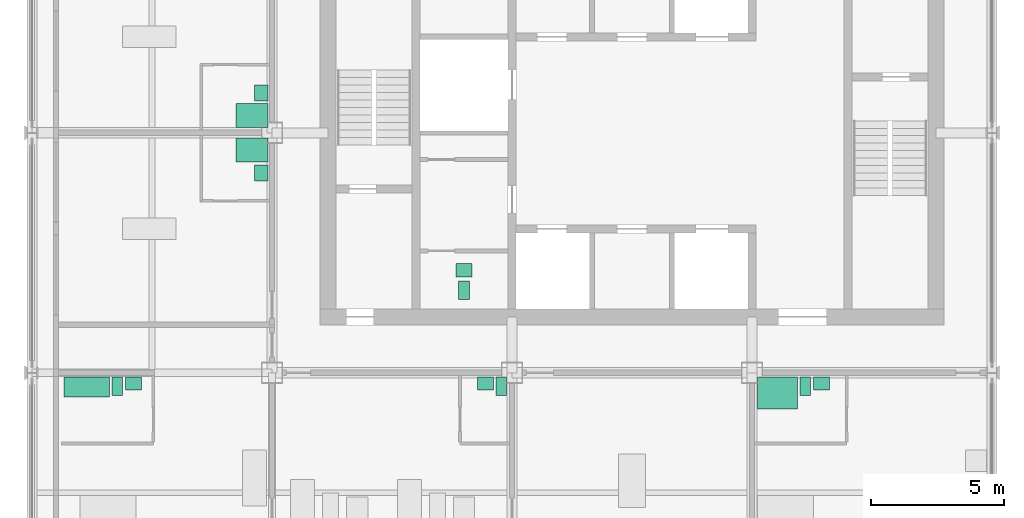
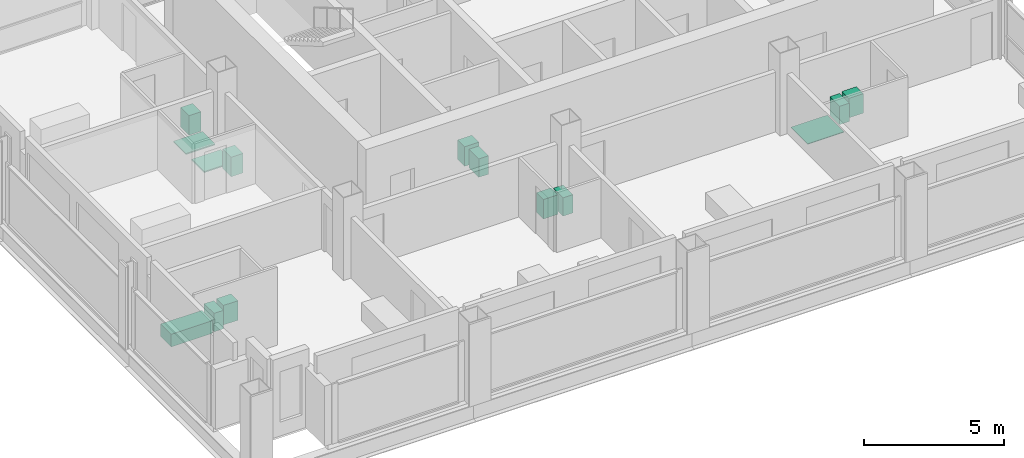
# One storey, part 10 of 11: 14 sanitary terminals.
"""IFC4 building model written with IfcOpenShell, lengths in metres."""

from ifc_helpers import new_model, si_unit, direction, frame, origin, origin_2d, place, context, subcontext, project, spatial, rectangle, extrude, element, save


model = new_model("IFC4")

# Units and contexts
model_context = context("Model", 3, precision=1e-05, world=origin(), true_north=direction((0.0, 1.0)))
body_context = subcontext(model_context, "Body", "Model", "MODEL_VIEW")
ifc_project = project(units=[si_unit("LENGTHUNIT", "METRE"), si_unit("AREAUNIT", "SQUARE_METRE"), si_unit("VOLUMEUNIT", "CUBIC_METRE"), si_unit("PLANEANGLEUNIT", "RADIAN"), si_unit("MASSUNIT", "GRAM", prefix="KILO")], contexts=[model_context])

# Site, building, storey
site_placement = place(None, origin())
site = spatial("IfcSite", under=ifc_project, at=site_placement, CompositionType="ELEMENT")
building_placement = place(site_placement, origin())
building = spatial("IfcBuilding", under=site, at=building_placement, Name="Loomwork Tower", CompositionType="ELEMENT")
storey_placement = place(building_placement, frame((0.0, 0.0, 262.60009765625)))
storey = spatial("IfcBuildingStorey", under=building, at=storey_placement, Name="L72", CompositionType="ELEMENT", Elevation=262.60009765625)

# Sanitary terminals
sanitary_terminal_1_placement = place(storey_placement, frame((2.050048828125, 8.47509765625, 0.0), z_axis=(0.0, 0.0, 1.0), x_axis=(1.0, 0.0, 0.0)))
element("IfcSanitaryTerminal", 1, at=sanitary_terminal_1_placement, inside=storey, Name="Bath L72", PredefinedType="BATH", context=body_context, shape_type="SweptSolid", body=[
    extrude(rectangle(XDim=1.699951171875, YDim=0.75, at=origin_2d()), origin(), (0.0, 0.0, 1.0), 0.550048828125),
])
sanitary_terminal_2_placement = place(storey_placement, frame((3.199951171875, 8.5, 0.0), z_axis=(0.0, 0.0, 1.0), x_axis=(1.0, 0.0, 0.0)))
element("IfcSanitaryTerminal", 2, at=sanitary_terminal_2_placement, inside=storey, Name="WC L72", PredefinedType="TOILETPAN", context=body_context, shape_type="SweptSolid", body=[
    extrude(rectangle(XDim=0.39990234375, YDim=0.699951171875, at=origin_2d()), origin(), (0.0, 0.0, 1.0), 0.800048828125),
])
sanitary_terminal_3_placement = place(storey_placement, frame((3.800048828125, 8.60009765625, -0.000244140625), z_axis=(0.0, 0.0, 1.0), x_axis=(1.0, 0.0, 0.0)))
element("IfcSanitaryTerminal", 3, at=sanitary_terminal_3_placement, inside=storey, Name="Basin vanity L72", PredefinedType="WASHHANDBASIN", context=body_context, shape_type="SweptSolid", body=[
    extrude(rectangle(XDim=0.60009765625, YDim=0.5, at=origin_2d()), origin(), (0.0, 0.0, 1.0), 0.85009765625),
])
sanitary_terminal_4_placement = place(storey_placement, frame((17.60009765625, 8.5, 0.0), z_axis=(0.0, 0.0, 1.0), x_axis=(1.0, 0.0, 0.0)))
element("IfcSanitaryTerminal", 4, at=sanitary_terminal_4_placement, inside=storey, Name="WC L72", PredefinedType="TOILETPAN", context=body_context, shape_type="SweptSolid", body=[
    extrude(rectangle(XDim=0.39990234375, YDim=0.699951171875, at=origin_2d()), origin(), (0.0, 0.0, 1.0), 0.800048828125),
])
sanitary_terminal_5_placement = place(storey_placement, frame((17.0, 8.60009765625, -0.000244140625), z_axis=(0.0, 0.0, 1.0), x_axis=(1.0, 0.0, 0.0)))
element("IfcSanitaryTerminal", 5, at=sanitary_terminal_5_placement, inside=storey, Name="Basin vanity L72", PredefinedType="WASHHANDBASIN", context=body_context, shape_type="SweptSolid", body=[
    extrude(rectangle(XDim=0.60009765625, YDim=0.5, at=origin_2d()), origin(), (0.0, 0.0, 1.0), 0.85009765625),
])
sanitary_terminal_6_placement = place(storey_placement, frame((27.949951171875, 8.25, 0.0), z_axis=(0.0, 0.0, 1.0), x_axis=(1.0, 0.0, 0.0)))
element("IfcSanitaryTerminal", 6, at=sanitary_terminal_6_placement, inside=storey, Name="Roll-in shower floor L72", PredefinedType="SHOWER", context=body_context, shape_type="SweptSolid", body=[
    extrude(rectangle(XDim=1.5, YDim=1.199951171875, at=origin_2d()), origin(), (0.0, 0.0, 1.0), 0.030029296875),
])
sanitary_terminal_7_placement = place(storey_placement, frame((29.0, 8.5, 0.0), z_axis=(0.0, 0.0, 1.0), x_axis=(1.0, 0.0, 0.0)))
element("IfcSanitaryTerminal", 7, at=sanitary_terminal_7_placement, inside=storey, Name="WC L72", PredefinedType="TOILETPAN", context=body_context, shape_type="SweptSolid", body=[
    extrude(rectangle(XDim=0.39990234375, YDim=0.699951171875, at=origin_2d()), origin(), (0.0, 0.0, 1.0), 0.800048828125),
])
sanitary_terminal_8_placement = place(storey_placement, frame((29.60009765625, 8.60009765625, -0.000244140625), z_axis=(0.0, 0.0, 1.0), x_axis=(1.0, 0.0, 0.0)))
element("IfcSanitaryTerminal", 8, at=sanitary_terminal_8_placement, inside=storey, Name="Basin vanity L72", PredefinedType="WASHHANDBASIN", context=body_context, shape_type="SweptSolid", body=[
    extrude(rectangle(XDim=0.60009765625, YDim=0.5, at=origin_2d()), origin(), (0.0, 0.0, 1.0), 0.85009765625),
])
sanitary_terminal_9_placement = place(storey_placement, frame((8.25, 17.35009765625, 0.0), z_axis=(0.0, 0.0, 1.0), x_axis=(1.0, 0.0, 0.0)))
element("IfcSanitaryTerminal", 9, at=sanitary_terminal_9_placement, inside=storey, Name="Shower tray L72", PredefinedType="SHOWER", context=body_context, shape_type="SweptSolid", body=[
    extrude(rectangle(XDim=1.199951171875, YDim=0.89990234375, at=origin_2d()), origin(), (0.0, 0.0, 1.0), 0.050048828125),
])
sanitary_terminal_10_placement = place(storey_placement, frame((8.60009765625, 16.5, -0.000244140625), z_axis=(0.0, 0.0, 1.0), x_axis=(1.0, 0.0, 0.0)))
element("IfcSanitaryTerminal", 10, at=sanitary_terminal_10_placement, inside=storey, Name="Basin vanity L72", PredefinedType="WASHHANDBASIN", context=body_context, shape_type="SweptSolid", body=[
    extrude(rectangle(XDim=0.5, YDim=0.60009765625, at=origin_2d()), origin(), (0.0, 0.0, 1.0), 0.85009765625),
])
sanitary_terminal_11_placement = place(storey_placement, frame((8.25, 18.64990234375, 0.0), z_axis=(0.0, 0.0, 1.0), x_axis=(1.0, 0.0, 0.0)))
element("IfcSanitaryTerminal", 11, at=sanitary_terminal_11_placement, inside=storey, Name="Shower tray L72", PredefinedType="SHOWER", context=body_context, shape_type="SweptSolid", body=[
    extrude(rectangle(XDim=1.199951171875, YDim=0.89990234375, at=origin_2d()), origin(), (0.0, 0.0, 1.0), 0.050048828125),
])
sanitary_terminal_12_placement = place(storey_placement, frame((8.60009765625, 19.5, -0.000244140625), z_axis=(0.0, 0.0, 1.0), x_axis=(1.0, 0.0, 0.0)))
element("IfcSanitaryTerminal", 12, at=sanitary_terminal_12_placement, inside=storey, Name="Basin vanity L72", PredefinedType="WASHHANDBASIN", context=body_context, shape_type="SweptSolid", body=[
    extrude(rectangle(XDim=0.5, YDim=0.60009765625, at=origin_2d()), origin(), (0.0, 0.0, 1.0), 0.85009765625),
])
sanitary_terminal_13_placement = place(storey_placement, frame((16.199951171875, 12.10009765625, 0.0), z_axis=(0.0, 0.0, 1.0), x_axis=(1.0, 0.0, 0.0)))
element("IfcSanitaryTerminal", 13, at=sanitary_terminal_13_placement, inside=storey, Name="WC L72", PredefinedType="TOILETPAN", context=body_context, shape_type="SweptSolid", body=[
    extrude(rectangle(XDim=0.39990234375, YDim=0.699951171875, at=origin_2d()), origin(), (0.0, 0.0, 1.0), 0.800048828125),
])
sanitary_terminal_14_placement = place(storey_placement, frame((16.199951171875, 12.85009765625, -0.000244140625), z_axis=(0.0, 0.0, 1.0), x_axis=(1.0, 0.0, 0.0)))
element("IfcSanitaryTerminal", 14, at=sanitary_terminal_14_placement, inside=storey, Name="Basin L72", PredefinedType="WASHHANDBASIN", context=body_context, shape_type="SweptSolid", body=[
    extrude(rectangle(XDim=0.60009765625, YDim=0.5, at=origin_2d()), origin(), (0.0, 0.0, 1.0), 0.85009765625),
])

save(model, "model.ifc")
